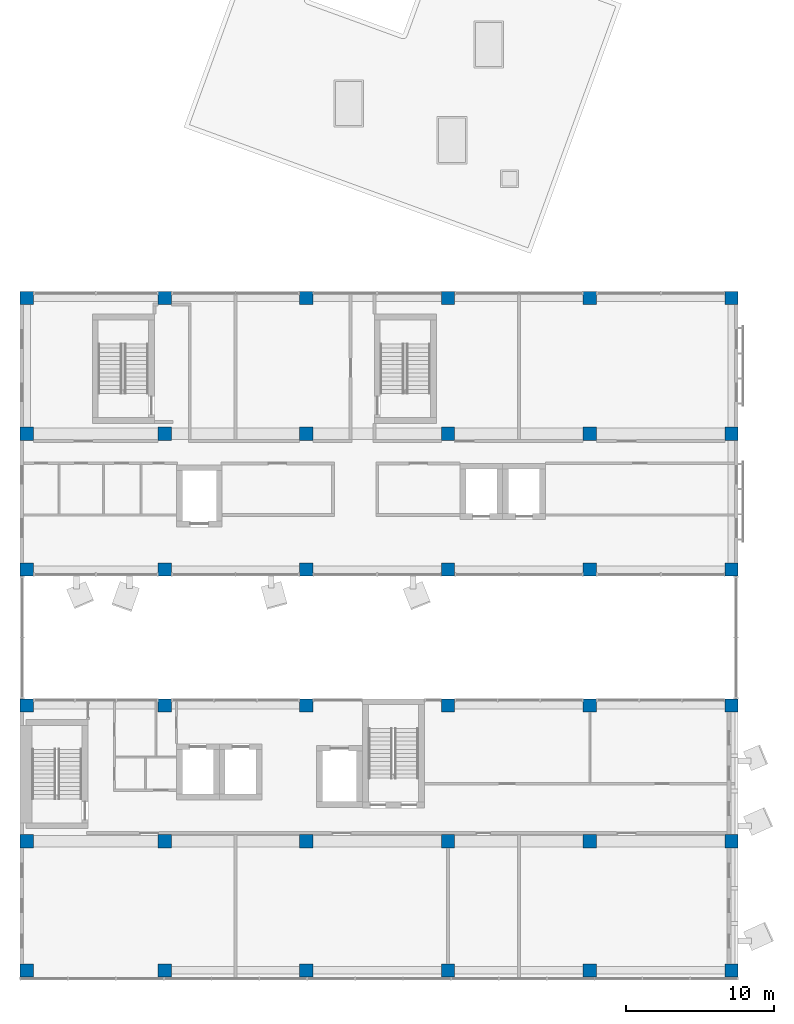
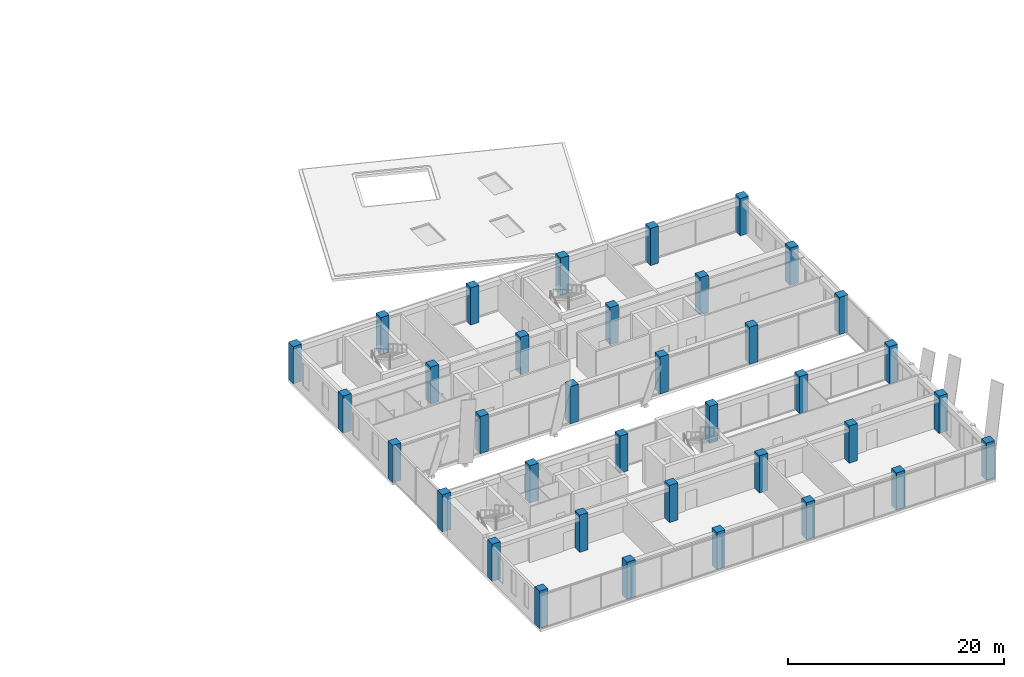
# One storey, part 1 of 36: 36 columns.
"""IFC4 building model written with IfcOpenShell, lengths in metres."""

from ifc_helpers import new_model, si_unit, direction, frame, origin, origin_2d, place, context, subcontext, project, spatial, rectangle, extrude, material, material_profile, profile_set, type_object, element, save


model = new_model("IFC4")

# Units and contexts
model_context = context("Model", 3, precision=1e-05, world=origin(), true_north=direction((0.0, 1.0)))
body_context = subcontext(model_context, "Body", "Model", "MODEL_VIEW")
ifc_project = project(units=[si_unit("LENGTHUNIT", "METRE"), si_unit("AREAUNIT", "SQUARE_METRE"), si_unit("VOLUMEUNIT", "CUBIC_METRE"), si_unit("PLANEANGLEUNIT", "RADIAN"), si_unit("MASSUNIT", "GRAM", prefix="KILO")], contexts=[model_context])

# Site, building, storey
site_placement = place(None, origin())
site = spatial("IfcSite", under=ifc_project, at=site_placement, CompositionType="ELEMENT")
building_placement = place(site_placement, origin())
building = spatial("IfcBuilding", under=site, at=building_placement, Name="Nzadi Deep Aquarium and Research Tower", CompositionType="ELEMENT")
storey_placement = place(building_placement, frame((0.0, 0.0, 40.300048828125)))
storey = spatial("IfcBuildingStorey", under=building, at=storey_placement, Name="L07", CompositionType="ELEMENT", Elevation=40.300048828125)

# Columns
ifc_material = material(Name="Concrete C40/50", Category="concrete")
ifc_material_profile = material_profile(ifc_material, rectangle(XDim=0.89990234375, YDim=0.89990234375, at=origin_2d()))
ifc_profile_set = profile_set([ifc_material_profile], Name="Concrete C40/50")
column_type = type_object("IfcColumnType", Name="RC 900x900", PredefinedType="COLUMN", material=ifc_profile_set)
for number, where, z_axis, x_axis, name in (
    (1, (0.25048828125, 0.449951171875, 0.0), (0.0, 0.0, 1.0), (1.0, 0.0, 0.0), "C-Z1-L07-A1"),
    (2, (9.60009765625, 0.449951171875, 0.0), (0.0, 0.0, 1.0), (1.0, 0.0, 0.0), "C-Z1-L07-B1"),
    (3, (19.199951171875, 0.449951171875, 0.0), (0.0, 0.0, 1.0), (1.0, 0.0, 0.0), "C-Z1-L07-C1"),
    (4, (28.800048828125, 0.449951171875, 0.0), (0.0, 0.0, 1.0), (1.0, 0.0, 0.0), "C-Z1-L07-D1"),
    (5, (38.39990234375, 0.449951171875, 0.0), (0.0, 0.0, 1.0), (1.0, 0.0, 0.0), "C-Z1-L07-E1"),
    (6, (48.0, 0.449951171875, 0.0), (0.0, 0.0, 1.0), (1.0, 0.0, 0.0), "C-Z1-L07-F1"),
    (7, (0.25048828125, 9.199951171875, 0.0), (0.0, 0.0, 1.0), (1.0, 0.0, 0.0), "C-Z1-L07-A2"),
    (8, (9.60009765625, 9.199951171875, 0.0), (0.0, 0.0, 1.0), (1.0, 0.0, 0.0), "C-Z1-L07-B2"),
    (9, (19.199951171875, 9.199951171875, 0.0), (0.0, 0.0, 1.0), (1.0, 0.0, 0.0), "C-Z1-L07-C2"),
    (10, (28.800048828125, 9.199951171875, 0.0), (0.0, 0.0, 1.0), (1.0, 0.0, 0.0), "C-Z1-L07-D2"),
    (11, (38.39990234375, 9.199951171875, 0.0), (0.0, 0.0, 1.0), (1.0, 0.0, 0.0), "C-Z1-L07-E2"),
    (12, (48.0, 9.199951171875, 0.0), (0.0, 0.0, 1.0), (1.0, 0.0, 0.0), "C-Z1-L07-F2"),
    (13, (0.25048828125, 18.39990234375, 0.0), (0.0, 0.0, 1.0), (1.0, 0.0, 0.0), "C-Z1-L07-A3"),
    (14, (9.60009765625, 18.39990234375, 0.0), (0.0, 0.0, 1.0), (1.0, 0.0, 0.0), "C-Z1-L07-B3"),
    (15, (19.199951171875, 18.39990234375, 0.0), (0.0, 0.0, 1.0), (1.0, 0.0, 0.0), "C-Z1-L07-C3"),
    (16, (28.800048828125, 18.39990234375, 0.0), (0.0, 0.0, 1.0), (1.0, 0.0, 0.0), "C-Z1-L07-D3"),
    (17, (38.39990234375, 18.39990234375, 0.0), (0.0, 0.0, 1.0), (1.0, 0.0, 0.0), "C-Z1-L07-E3"),
    (18, (48.0, 18.39990234375, 0.0), (0.0, 0.0, 1.0), (1.0, 0.0, 0.0), "C-Z1-L07-F3"),
    (19, (0.25048828125, 27.60009765625, 0.0), (0.0, 0.0, 1.0), (1.0, 0.0, 0.0), "C-Z1-L07-A4"),
    (20, (9.60009765625, 27.60009765625, 0.0), (0.0, 0.0, 1.0), (1.0, 0.0, 0.0), "C-Z1-L07-B4"),
    (21, (19.199951171875, 27.60009765625, 0.0), (0.0, 0.0, 1.0), (1.0, 0.0, 0.0), "C-Z1-L07-C4"),
    (22, (28.800048828125, 27.60009765625, 0.0), (0.0, 0.0, 1.0), (1.0, 0.0, 0.0), "C-Z1-L07-D4"),
    (23, (38.39990234375, 27.60009765625, 0.0), (0.0, 0.0, 1.0), (1.0, 0.0, 0.0), "C-Z1-L07-E4"),
    (24, (48.0, 27.60009765625, 0.0), (0.0, 0.0, 1.0), (1.0, 0.0, 0.0), "C-Z1-L07-F4"),
    (25, (0.25048828125, 36.800048828125, 0.0), (0.0, 0.0, 1.0), (1.0, 0.0, 0.0), "C-Z1-L07-A5"),
    (26, (9.60009765625, 36.800048828125, 0.0), (0.0, 0.0, 1.0), (1.0, 0.0, 0.0), "C-Z1-L07-B5"),
    (27, (19.199951171875, 36.800048828125, 0.0), (0.0, 0.0, 1.0), (1.0, 0.0, 0.0), "C-Z1-L07-C5"),
    (28, (28.800048828125, 36.800048828125, 0.0), (0.0, 0.0, 1.0), (1.0, 0.0, 0.0), "C-Z1-L07-D5"),
    (29, (38.39990234375, 36.800048828125, 0.0), (0.0, 0.0, 1.0), (1.0, 0.0, 0.0), "C-Z1-L07-E5"),
    (30, (48.0, 36.800048828125, 0.0), (0.0, 0.0, 1.0), (1.0, 0.0, 0.0), "C-Z1-L07-F5"),
    (31, (0.25048828125, 46.0, 0.0), (0.0, 0.0, 1.0), (1.0, 0.0, 0.0), "C-Z1-L07-A6"),
    (32, (9.60009765625, 46.0, 0.0), (0.0, 0.0, 1.0), (1.0, 0.0, 0.0), "C-Z1-L07-B6"),
    (33, (19.199951171875, 46.0, 0.0), (0.0, 0.0, 1.0), (1.0, 0.0, 0.0), "C-Z1-L07-C6"),
    (34, (28.800048828125, 46.0, 0.0), (0.0, 0.0, 1.0), (1.0, 0.0, 0.0), "C-Z1-L07-D6"),
    (35, (38.39990234375, 46.0, 0.0), (0.0, 0.0, 1.0), (1.0, 0.0, 0.0), "C-Z1-L07-E6"),
    (36, (48.0, 46.0, 0.0), (0.0, 0.0, 1.0), (1.0, 0.0, 0.0), "C-Z1-L07-F6"),
):
    element("IfcColumn", number, at=place(storey_placement, frame(where, z_axis=z_axis, x_axis=x_axis)), inside=storey, type_object=column_type, Name=name, PredefinedType="COLUMN", context=body_context, shape_type="SweptSolid", body=[
        extrude(rectangle(XDim=0.89990234375, YDim=0.89990234375, at=origin_2d()), origin(), (0.0, 0.0, 1.0), 4.199951171875),
    ])

save(model, "model.ifc")
